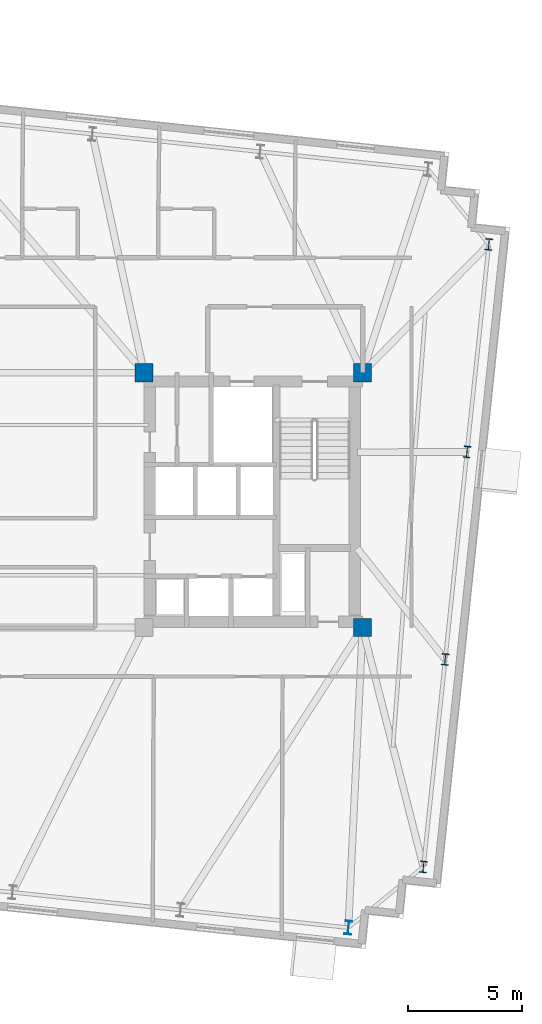
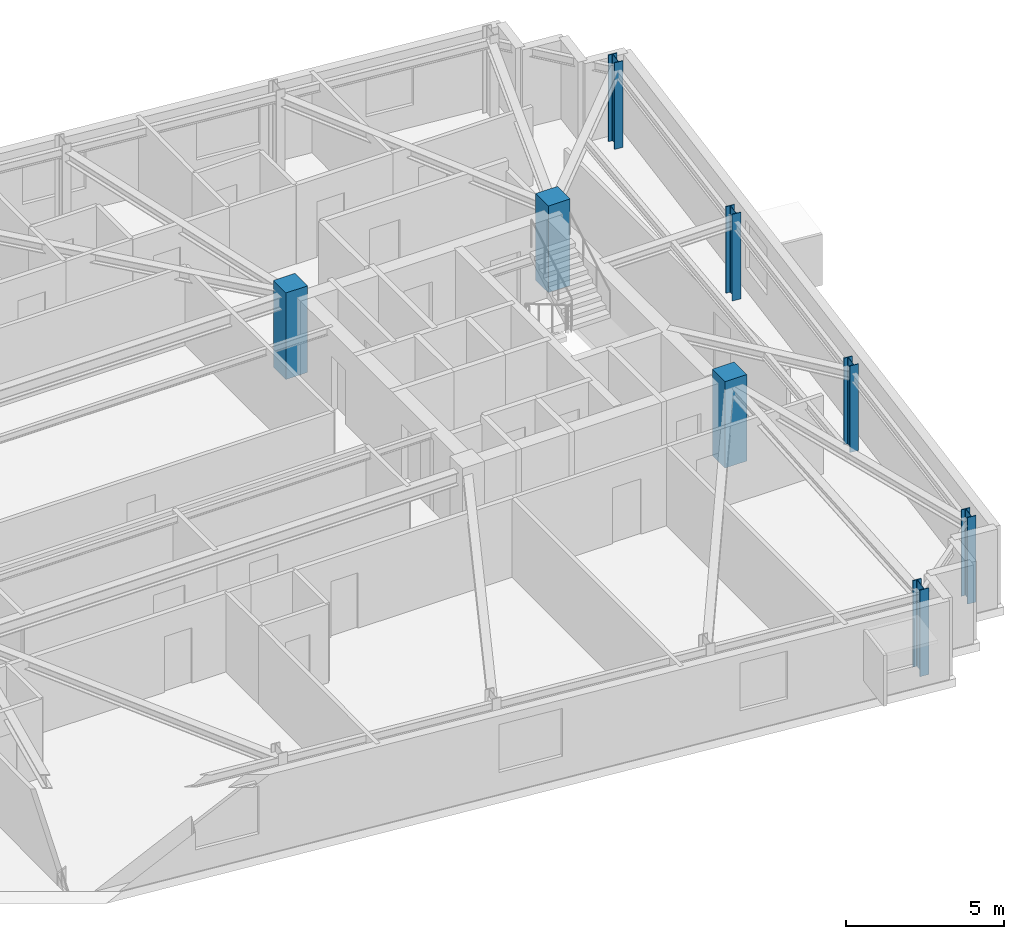
# One storey, part 2 of 12: 8 columns.
"""IFC4 building model written with IfcOpenShell, lengths in metres."""

from ifc_helpers import new_model, si_unit, direction, frame, origin, origin_2d, place, context, subcontext, project, spatial, rectangle, i_section, extrude, material, material_profile, profile_set, type_object, element, save


model = new_model("IFC4")

# Units and contexts
model_context = context("Model", 3, precision=1e-05, world=origin(), true_north=direction((0.0, 1.0)))
body_context = subcontext(model_context, "Body", "Model", "MODEL_VIEW")
ifc_project = project(units=[si_unit("LENGTHUNIT", "METRE"), si_unit("AREAUNIT", "SQUARE_METRE"), si_unit("VOLUMEUNIT", "CUBIC_METRE"), si_unit("PLANEANGLEUNIT", "RADIAN"), si_unit("MASSUNIT", "GRAM", prefix="KILO")], contexts=[model_context])

# Site, building, storey
site_placement = place(None, origin())
site = spatial("IfcSite", under=ifc_project, at=site_placement, CompositionType="ELEMENT")
building_placement = place(site_placement, origin())
building = spatial("IfcBuilding", under=site, at=building_placement, Name="Qobustan Lattice House", CompositionType="ELEMENT")
storey_placement = place(building_placement, frame((0.0, 0.0, 183.0)))
storey = spatial("IfcBuildingStorey", under=building, at=storey_placement, Name="L51", CompositionType="ELEMENT", Elevation=183.0)

# Columns
ifc_material_1 = material(Name="Concrete C50/60", Category="concrete")
ifc_material_profile_1 = material_profile(ifc_material_1, rectangle(XDim=0.800048828125, YDim=0.800048828125, at=origin_2d()), Name="RC800x800")
ifc_profile_set_1 = profile_set([ifc_material_profile_1], Name="Concrete C50/60")
column_type_1 = type_object("IfcColumnType", Name="COL-RC-800", PredefinedType="COLUMN", material=ifc_profile_set_1)
for number, where, z_axis, x_axis, name in (
    (1, (9.199951171875, 5.60009765625, 0.0), (0.0, 0.0, 1.0), (1.0, 0.0, 0.0), "L51 core mega-column CE-NW"),
    (2, (18.800048828125, -5.60009765625, 0.0), (0.0, 0.0, 1.0), (1.0, 0.0, 0.0), "L51 core mega-column CE-SE"),
    (3, (18.800048828125, 5.60009765625, 0.0), (0.0, 0.0, 1.0), (1.0, 0.0, 0.0), "L51 core mega-column CE-NE"),
):
    element("IfcColumn", number, at=place(storey_placement, frame(where, z_axis=z_axis, x_axis=x_axis)), inside=storey, type_object=column_type_1, Name=name, PredefinedType="COLUMN", context=body_context, shape_type="SweptSolid", body=[
        extrude(rectangle(XDim=0.800048828125, YDim=0.800048828125, at=origin_2d()), origin(), (0.0, 0.0, 1.0), 3.35009765625),
    ])
ifc_material_2 = material(Name="Steel S355", Category="steel")
ifc_material_profile_2 = material_profile(ifc_material_2, i_section(OverallWidth=0.300048828125, OverallDepth=0.5, WebThickness=0.014404296875, FlangeThickness=0.028076171875, FilletRadius=0.027099609375, at=origin_2d()), Name="HEB500")
ifc_profile_set_2 = profile_set([ifc_material_profile_2], Name="Steel S355")
column_type_2 = type_object("IfcColumnType", Name="COL-ST-HEB500", PredefinedType="COLUMN", material=ifc_profile_set_2)
for number, where, z_axis, x_axis, name in (
    (4, (21.474365234375, -16.114013671875, 0.0), (0.0, 0.0, 1.0), (0.994521895368, -0.104528463268, 0.0), "L51 B4 perimeter column E1"),
    (5, (22.4326171875, -6.99755859375, 0.0), (0.0, 0.0, 1.0), (0.994521895368, -0.104528463268, 0.0), "L51 B4 perimeter column E2"),
    (6, (23.390869140625, 2.118896484375, 0.0), (0.0, 0.0, 1.0), (0.994521895368, -0.104528463268, 0.0), "L51 B4 perimeter column E3"),
    (7, (24.348876953125, 11.2353515625, 0.0), (0.0, 0.0, 1.0), (0.994521895368, -0.104528463268, 0.0), "L51 B4 perimeter column E4"),
):
    element("IfcColumn", number, at=place(storey_placement, frame(where, z_axis=z_axis, x_axis=x_axis)), inside=storey, type_object=column_type_2, Name=name, PredefinedType="COLUMN", context=body_context, shape_type="SweptSolid", body=[
        extrude(i_section(OverallWidth=0.300048828125, OverallDepth=0.5, WebThickness=0.014404296875, FlangeThickness=0.028076171875, FilletRadius=0.027099609375, at=origin_2d()), origin(), (0.0, 0.0, 1.0), 3.35009765625),
    ])
ifc_material_3 = material(Name="Steel S355", Category="steel")
ifc_material_profile_3 = material_profile(ifc_material_3, i_section(OverallWidth=0.300048828125, OverallDepth=0.60009765625, WebThickness=0.015380859375, FlangeThickness=0.030029296875, FilletRadius=0.027099609375, at=origin_2d()), Name="HEB600")
ifc_profile_set_3 = profile_set([ifc_material_profile_3], Name="Steel S355")
column_type_3 = type_object("IfcColumnType", Name="COL-ST-HEB600", PredefinedType="COLUMN", material=ifc_profile_set_3)
column_placement = place(storey_placement, frame((18.17724609375, -18.783935546875, 0.0), z_axis=(0.0, 0.0, 1.0), x_axis=(0.994521895368, -0.104528463268, 0.0)))
element("IfcColumn", 8, at=column_placement, inside=storey, type_object=column_type_3, Name="L51 B4 perimeter column S7", PredefinedType="COLUMN", context=body_context, shape_type="SweptSolid", body=[
    extrude(i_section(OverallWidth=0.300048828125, OverallDepth=0.60009765625, WebThickness=0.015380859375, FlangeThickness=0.030029296875, FilletRadius=0.027099609375, at=origin_2d()), origin(), (0.0, 0.0, 1.0), 3.35009765625),
])

save(model, "model.ifc")
